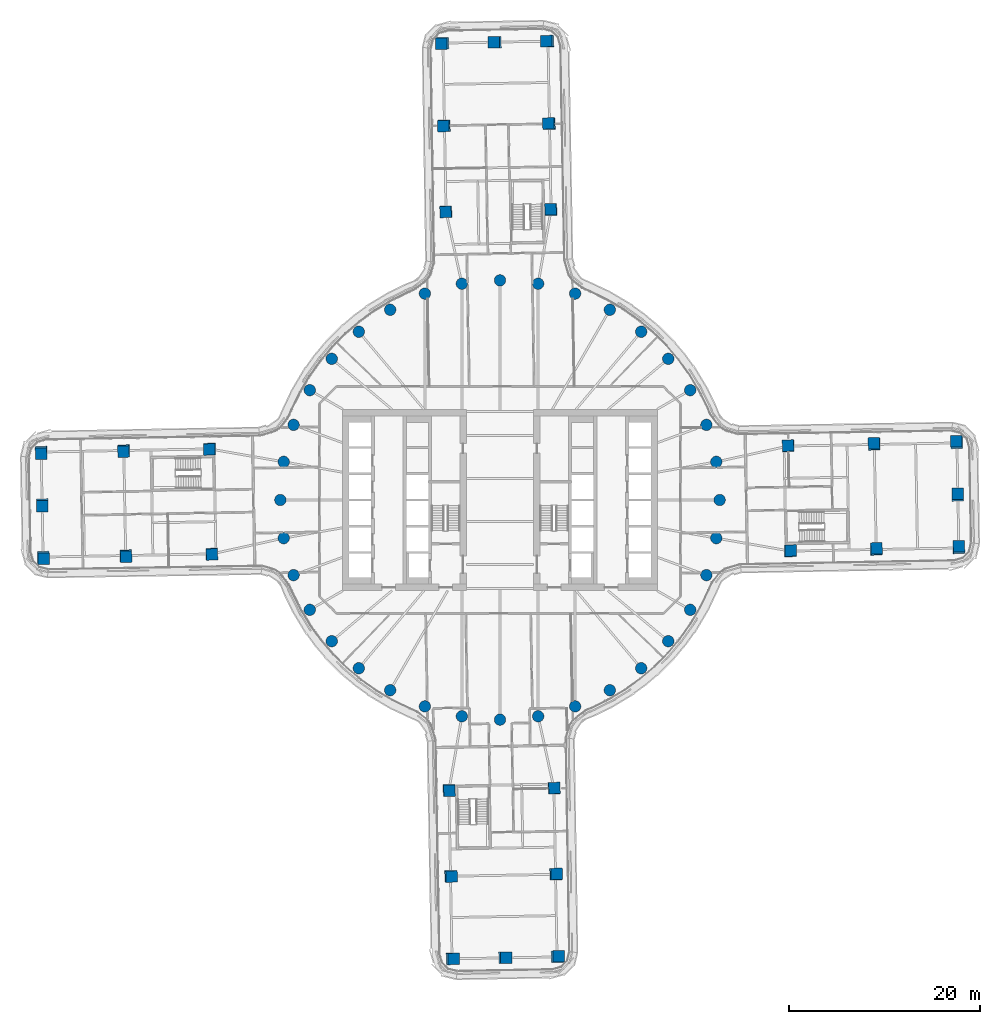
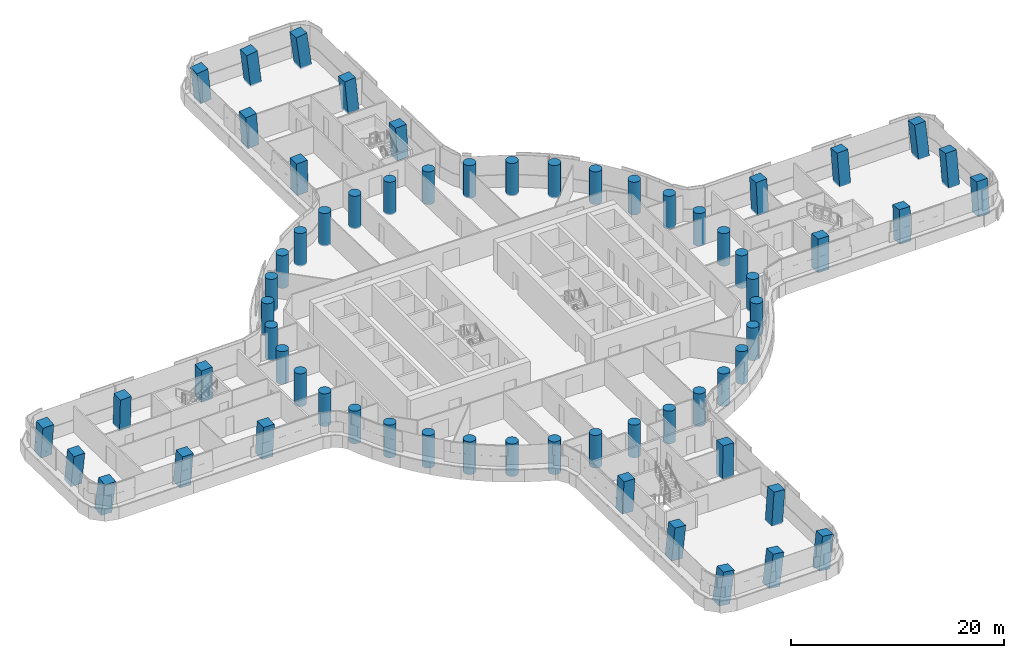
# One storey, part 1 of 31: 64 columns.
"""IFC4 building model written with IfcOpenShell, lengths in metres."""

from ifc_helpers import new_model, si_unit, direction, frame, origin, origin_2d, place, context, subcontext, project, spatial, rectangle, circle, extrude, material, material_profile, profile_set, type_object, element, save


model = new_model("IFC4")

# Units and contexts
model_context = context("Model", 3, precision=1e-05, world=origin(), true_north=direction((0.0, 1.0)))
body_context = subcontext(model_context, "Body", "Model", "MODEL_VIEW")
ifc_project = project(units=[si_unit("LENGTHUNIT", "METRE"), si_unit("AREAUNIT", "SQUARE_METRE"), si_unit("VOLUMEUNIT", "CUBIC_METRE"), si_unit("PLANEANGLEUNIT", "RADIAN"), si_unit("MASSUNIT", "GRAM", prefix="KILO")], contexts=[model_context])

# Site, building, storey
site_placement = place(None, origin())
site = spatial("IfcSite", under=ifc_project, at=site_placement, CompositionType="ELEMENT")
building_placement = place(site_placement, origin())
building = spatial("IfcBuilding", under=site, at=building_placement, Name="Tamarind Cross Interchange Tower", CompositionType="ELEMENT")
storey_placement = place(building_placement, frame((0.0, 0.0, 37.75)))
storey = spatial("IfcBuildingStorey", under=building, at=storey_placement, Name="L07", CompositionType="ELEMENT", Elevation=37.75)

# Columns
ifc_material = material(Name="Concrete C70", Category="concrete")
ifc_material_profile_1 = material_profile(ifc_material, rectangle(XDim=1.199951171875, YDim=1.199951171875, at=origin_2d()), Name="RC 1200x1200")
ifc_profile_set_1 = profile_set([ifc_material_profile_1], Name="Concrete C70")
column_type_1 = type_object("IfcColumnType", Name="Column RC 1200x1200 Concrete C70", PredefinedType="COLUMN", material=ifc_profile_set_1)
for number, where, z_axis, x_axis, name in (
    (1, (39.19677734375, 5.814697265625, -0.138427734375), (-0.028948520054, 0.083016047419, 0.996127662028), (0.01738070552, -0.996352845923, 0.083539915592), "Column L07-036"),
    (2, (39.3974609375, -5.18359375, -0.138427734375), (0.024340068401, 0.084508717487, 0.996125412656), (-0.999517576924, -0.017171293886, 0.025879723463), "Column L07-037"),
):
    element("IfcColumn", number, at=place(storey_placement, frame(where, z_axis=z_axis, x_axis=x_axis)), inside=storey, type_object=column_type_1, Name=name, PredefinedType="COLUMN", context=body_context, shape_type="SweptSolid", body=[
        extrude(rectangle(XDim=1.199951171875, YDim=1.199951171875, at=origin_2d()), origin(), (0.0, 0.0, 1.0), 3.761474609375),
    ])
for number, where, z_axis, x_axis, name in (
    (3, (30.1982421875, 5.650390625, -0.138671875), (-0.027786868561, 0.039565377249, 0.998830551625), (0.017377161096, -0.999046266915, 0.040057344327), "Column L07-038"),
    (4, (30.39892578125, -5.34765625, -0.138671875), (0.02557436589, 0.040997075091, 0.998831913609), (-0.999494731778, -0.017815795954, 0.026322586555), "Column L07-039"),
):
    element("IfcColumn", number, at=place(storey_placement, frame(where, z_axis=z_axis, x_axis=x_axis)), inside=storey, type_object=column_type_1, Name=name, PredefinedType="COLUMN", context=body_context, shape_type="SweptSolid", body=[
        extrude(rectangle(XDim=1.199951171875, YDim=1.199951171875, at=origin_2d()), origin(), (0.0, 0.0, 1.0), 3.751708984375),
    ])
column_1_placement = place(storey_placement, frame((48.048828125, -5.025634765625, -0.138671875), z_axis=(0.009695031663, 0.125389076179, 0.992060273338), x_axis=(-0.999776052649, -0.017447832864, 0.011975712011)))
element("IfcColumn", 5, at=column_1_placement, inside=storey, type_object=column_type_1, Name="Column L07-040", PredefinedType="COLUMN", context=body_context, shape_type="SweptSolid", body=[
    extrude(rectangle(XDim=1.199951171875, YDim=1.199951171875, at=origin_2d()), origin(), (0.0, 0.0, 1.0), 3.77734375),
])
column_2_placement = place(storey_placement, frame((47.948486328125, 0.473388671875, -0.138427734375), z_axis=(-0.016806787649, 0.124693436059, 0.992052961738), x_axis=(0.016951188234, -0.992014968226, 0.124975837796)))
element("IfcColumn", 6, at=column_2_placement, inside=storey, type_object=column_type_1, Name="Column L07-041", PredefinedType="COLUMN", context=body_context, shape_type="SweptSolid", body=[
    extrude(rectangle(XDim=1.199951171875, YDim=1.199951171875, at=origin_2d()), origin(), (0.0, 0.0, 1.0), 3.77685546875),
])
column_3_placement = place(storey_placement, frame((47.84814453125, 5.972412109375, -0.138427734375), z_axis=(-0.043343632944, 0.123894318906, 0.991348337985), x_axis=(0.015552242989, -0.992076951599, 0.124665351418)))
element("IfcColumn", 7, at=column_3_placement, inside=storey, type_object=column_type_1, Name="Column L07-042", PredefinedType="COLUMN", context=body_context, shape_type="SweptSolid", body=[
    extrude(rectangle(XDim=1.199951171875, YDim=1.199951171875, at=origin_2d()), origin(), (0.0, 0.0, 1.0), 3.779541015625),
])
for number, where, z_axis, x_axis, name in (
    (8, (-5.814697265625, 39.19677734375, -0.138427734375), (-0.083016047419, -0.028948520054, 0.996127662028), (0.996352845923, 0.01738070552, 0.083539915592), "Column L07-043"),
    (9, (5.18359375, 39.3974609375, -0.138427734375), (-0.084508717487, 0.024340068401, 0.996125412656), (0.017171293886, -0.999517576924, 0.025879723463), "Column L07-044"),
):
    element("IfcColumn", number, at=place(storey_placement, frame(where, z_axis=z_axis, x_axis=x_axis)), inside=storey, type_object=column_type_1, Name=name, PredefinedType="COLUMN", context=body_context, shape_type="SweptSolid", body=[
        extrude(rectangle(XDim=1.199951171875, YDim=1.199951171875, at=origin_2d()), origin(), (0.0, 0.0, 1.0), 3.761474609375),
    ])
for number, where, z_axis, x_axis, name in (
    (10, (-5.650390625, 30.1982421875, -0.138671875), (-0.039565377249, -0.027786868561, 0.998830551625), (0.999046266915, 0.017377161096, 0.040057344327), "Column L07-045"),
    (11, (5.34765625, 30.39892578125, -0.138671875), (-0.040997075091, 0.02557436589, 0.998831913609), (0.017815795954, -0.999494731778, 0.026322586555), "Column L07-046"),
):
    element("IfcColumn", number, at=place(storey_placement, frame(where, z_axis=z_axis, x_axis=x_axis)), inside=storey, type_object=column_type_1, Name=name, PredefinedType="COLUMN", context=body_context, shape_type="SweptSolid", body=[
        extrude(rectangle(XDim=1.199951171875, YDim=1.199951171875, at=origin_2d()), origin(), (0.0, 0.0, 1.0), 3.751708984375),
    ])
column_4_placement = place(storey_placement, frame((5.025634765625, 48.048828125, -0.138671875), z_axis=(-0.125389076179, 0.009695031663, 0.992060273338), x_axis=(0.017447832864, -0.999776052649, 0.011975712011)))
element("IfcColumn", 12, at=column_4_placement, inside=storey, type_object=column_type_1, Name="Column L07-047", PredefinedType="COLUMN", context=body_context, shape_type="SweptSolid", body=[
    extrude(rectangle(XDim=1.199951171875, YDim=1.199951171875, at=origin_2d()), origin(), (0.0, 0.0, 1.0), 3.77734375),
])
column_5_placement = place(storey_placement, frame((-0.473388671875, 47.948486328125, -0.138427734375), z_axis=(-0.124693436059, -0.016806787649, 0.992052961738), x_axis=(0.992014968226, 0.016951188234, 0.124975837796)))
element("IfcColumn", 13, at=column_5_placement, inside=storey, type_object=column_type_1, Name="Column L07-048", PredefinedType="COLUMN", context=body_context, shape_type="SweptSolid", body=[
    extrude(rectangle(XDim=1.199951171875, YDim=1.199951171875, at=origin_2d()), origin(), (0.0, 0.0, 1.0), 3.77685546875),
])
column_6_placement = place(storey_placement, frame((-5.972412109375, 47.84814453125, -0.138427734375), z_axis=(-0.123894318906, -0.043343632944, 0.991348337985), x_axis=(0.992076951599, 0.015552242989, 0.124665351418)))
element("IfcColumn", 14, at=column_6_placement, inside=storey, type_object=column_type_1, Name="Column L07-049", PredefinedType="COLUMN", context=body_context, shape_type="SweptSolid", body=[
    extrude(rectangle(XDim=1.199951171875, YDim=1.199951171875, at=origin_2d()), origin(), (0.0, 0.0, 1.0), 3.779541015625),
])
for number, where, z_axis, x_axis, name in (
    (15, (-39.19677734375, -5.814697265625, -0.138427734375), (0.028948520054, -0.083016047419, 0.996127662028), (-0.01738070552, 0.996352845923, 0.083539915592), "Column L07-050"),
    (16, (-39.3974609375, 5.18359375, -0.138427734375), (-0.024340068401, -0.084508717487, 0.996125412656), (0.999517576924, 0.017171293886, 0.025879723463), "Column L07-051"),
):
    element("IfcColumn", number, at=place(storey_placement, frame(where, z_axis=z_axis, x_axis=x_axis)), inside=storey, type_object=column_type_1, Name=name, PredefinedType="COLUMN", context=body_context, shape_type="SweptSolid", body=[
        extrude(rectangle(XDim=1.199951171875, YDim=1.199951171875, at=origin_2d()), origin(), (0.0, 0.0, 1.0), 3.761474609375),
    ])
for number, where, z_axis, x_axis, name in (
    (17, (-30.1982421875, -5.650390625, -0.138671875), (0.027786868561, -0.039565377249, 0.998830551625), (-0.017377161096, 0.999046266915, 0.040057344327), "Column L07-052"),
    (18, (-30.39892578125, 5.34765625, -0.138671875), (-0.02557436589, -0.040997075091, 0.998831913609), (0.999494731778, 0.017815795954, 0.026322586555), "Column L07-053"),
):
    element("IfcColumn", number, at=place(storey_placement, frame(where, z_axis=z_axis, x_axis=x_axis)), inside=storey, type_object=column_type_1, Name=name, PredefinedType="COLUMN", context=body_context, shape_type="SweptSolid", body=[
        extrude(rectangle(XDim=1.199951171875, YDim=1.199951171875, at=origin_2d()), origin(), (0.0, 0.0, 1.0), 3.751708984375),
    ])
column_7_placement = place(storey_placement, frame((-48.048828125, 5.025634765625, -0.138671875), z_axis=(-0.009695031663, -0.125389076179, 0.992060273338), x_axis=(0.999776052649, 0.017447832864, 0.011975712011)))
element("IfcColumn", 19, at=column_7_placement, inside=storey, type_object=column_type_1, Name="Column L07-054", PredefinedType="COLUMN", context=body_context, shape_type="SweptSolid", body=[
    extrude(rectangle(XDim=1.199951171875, YDim=1.199951171875, at=origin_2d()), origin(), (0.0, 0.0, 1.0), 3.77734375),
])
column_8_placement = place(storey_placement, frame((-47.948486328125, -0.473388671875, -0.138427734375), z_axis=(0.016806787649, -0.124693436059, 0.992052961738), x_axis=(-0.016951188234, 0.992014968226, 0.124975837796)))
element("IfcColumn", 20, at=column_8_placement, inside=storey, type_object=column_type_1, Name="Column L07-055", PredefinedType="COLUMN", context=body_context, shape_type="SweptSolid", body=[
    extrude(rectangle(XDim=1.199951171875, YDim=1.199951171875, at=origin_2d()), origin(), (0.0, 0.0, 1.0), 3.77685546875),
])
column_9_placement = place(storey_placement, frame((-47.84814453125, -5.972412109375, -0.138427734375), z_axis=(0.043343632944, -0.123894318906, 0.991348337985), x_axis=(-0.015552242989, 0.992076951599, 0.124665351418)))
element("IfcColumn", 21, at=column_9_placement, inside=storey, type_object=column_type_1, Name="Column L07-056", PredefinedType="COLUMN", context=body_context, shape_type="SweptSolid", body=[
    extrude(rectangle(XDim=1.199951171875, YDim=1.199951171875, at=origin_2d()), origin(), (0.0, 0.0, 1.0), 3.779541015625),
])
for number, where, z_axis, x_axis, name in (
    (22, (5.814697265625, -39.19677734375, -0.138427734375), (0.083016047419, 0.028948520054, 0.996127662028), (-0.996352845923, -0.01738070552, 0.083539915592), "Column L07-057"),
    (23, (-5.18359375, -39.3974609375, -0.138427734375), (0.084508717487, -0.024340068401, 0.996125412656), (-0.017171293886, 0.999517576924, 0.025879723463), "Column L07-058"),
):
    element("IfcColumn", number, at=place(storey_placement, frame(where, z_axis=z_axis, x_axis=x_axis)), inside=storey, type_object=column_type_1, Name=name, PredefinedType="COLUMN", context=body_context, shape_type="SweptSolid", body=[
        extrude(rectangle(XDim=1.199951171875, YDim=1.199951171875, at=origin_2d()), origin(), (0.0, 0.0, 1.0), 3.761474609375),
    ])
for number, where, z_axis, x_axis, name in (
    (24, (5.650390625, -30.1982421875, -0.138671875), (0.039565377249, 0.027786868561, 0.998830551625), (-0.999046266915, -0.017377161096, 0.040057344327), "Column L07-059"),
    (25, (-5.34765625, -30.39892578125, -0.138671875), (0.040997075091, -0.02557436589, 0.998831913609), (-0.017815795954, 0.999494731778, 0.026322586555), "Column L07-060"),
):
    element("IfcColumn", number, at=place(storey_placement, frame(where, z_axis=z_axis, x_axis=x_axis)), inside=storey, type_object=column_type_1, Name=name, PredefinedType="COLUMN", context=body_context, shape_type="SweptSolid", body=[
        extrude(rectangle(XDim=1.199951171875, YDim=1.199951171875, at=origin_2d()), origin(), (0.0, 0.0, 1.0), 3.751708984375),
    ])
column_10_placement = place(storey_placement, frame((-5.025634765625, -48.048828125, -0.138671875), z_axis=(0.125389076179, -0.009695031663, 0.992060273338), x_axis=(-0.017447832864, 0.999776052649, 0.011975712011)))
element("IfcColumn", 26, at=column_10_placement, inside=storey, type_object=column_type_1, Name="Column L07-061", PredefinedType="COLUMN", context=body_context, shape_type="SweptSolid", body=[
    extrude(rectangle(XDim=1.199951171875, YDim=1.199951171875, at=origin_2d()), origin(), (0.0, 0.0, 1.0), 3.77734375),
])
column_11_placement = place(storey_placement, frame((0.473388671875, -47.948486328125, -0.138427734375), z_axis=(0.124693436059, 0.016806787649, 0.992052961738), x_axis=(-0.992014968226, -0.016951188234, 0.124975837796)))
element("IfcColumn", 27, at=column_11_placement, inside=storey, type_object=column_type_1, Name="Column L07-062", PredefinedType="COLUMN", context=body_context, shape_type="SweptSolid", body=[
    extrude(rectangle(XDim=1.199951171875, YDim=1.199951171875, at=origin_2d()), origin(), (0.0, 0.0, 1.0), 3.77685546875),
])
column_12_placement = place(storey_placement, frame((5.972412109375, -47.84814453125, -0.138427734375), z_axis=(0.123894318906, 0.043343632944, 0.991348337985), x_axis=(-0.992076951599, -0.015552242989, 0.124665351418)))
element("IfcColumn", 28, at=column_12_placement, inside=storey, type_object=column_type_1, Name="Column L07-063", PredefinedType="COLUMN", context=body_context, shape_type="SweptSolid", body=[
    extrude(rectangle(XDim=1.199951171875, YDim=1.199951171875, at=origin_2d()), origin(), (0.0, 0.0, 1.0), 3.779541015625),
])
ifc_material_profile_2 = material_profile(ifc_material, circle(Radius=0.60009765625, at=origin_2d()), Name="RC D1200")
ifc_profile_set_2 = profile_set([ifc_material_profile_2], Name="Concrete C70")
column_type_2 = type_object("IfcColumnType", Name="Column RC D1200 Concrete C70", PredefinedType="COLUMN", material=ifc_profile_set_2)
for number, where, z_axis, x_axis, name in (
    (29, (23.0, 0.0, -0.139892578125), (0.0, 0.0, 1.0), (1.0, 0.0, 0.0), "Column L07-000"),
    (30, (22.650634765625, 3.993896484375, -0.139892578125), (0.0, 0.0, 1.0), (1.0, 0.0, 0.0), "Column L07-001"),
    (31, (21.613037109375, 7.866455078125, -0.139892578125), (0.0, 0.0, 1.0), (1.0, 0.0, 0.0), "Column L07-002"),
    (32, (19.918701171875, 11.5, -0.139892578125), (0.0, 0.0, 1.0), (1.0, 0.0, 0.0), "Column L07-003"),
    (33, (17.619140625, 14.7841796875, -0.139892578125), (0.0, 0.0, 1.0), (1.0, 0.0, 0.0), "Column L07-004"),
    (34, (14.7841796875, 17.619140625, -0.139892578125), (0.0, 0.0, 1.0), (1.0, 0.0, 0.0), "Column L07-005"),
    (35, (11.5, 19.918701171875, -0.139892578125), (0.0, 0.0, 1.0), (1.0, 0.0, 0.0), "Column L07-006"),
    (36, (7.866455078125, 21.613037109375, -0.139892578125), (0.0, 0.0, 1.0), (1.0, 0.0, 0.0), "Column L07-007"),
    (37, (3.993896484375, 22.650634765625, -0.139892578125), (0.0, 0.0, 1.0), (1.0, 0.0, 0.0), "Column L07-008"),
    (38, (0.0, 23.0, -0.139892578125), (0.0, 0.0, 1.0), (1.0, 0.0, 0.0), "Column L07-009"),
    (39, (-3.993896484375, 22.650634765625, -0.139892578125), (0.0, 0.0, 1.0), (1.0, 0.0, 0.0), "Column L07-010"),
    (40, (-7.866455078125, 21.613037109375, -0.139892578125), (0.0, 0.0, 1.0), (1.0, 0.0, 0.0), "Column L07-011"),
    (41, (-11.5, 19.918701171875, -0.139892578125), (0.0, 0.0, 1.0), (1.0, 0.0, 0.0), "Column L07-012"),
    (42, (-14.7841796875, 17.619140625, -0.139892578125), (0.0, 0.0, 1.0), (1.0, 0.0, 0.0), "Column L07-013"),
    (43, (-17.619140625, 14.7841796875, -0.139892578125), (0.0, 0.0, 1.0), (1.0, 0.0, 0.0), "Column L07-014"),
    (44, (-19.918701171875, 11.5, -0.139892578125), (0.0, 0.0, 1.0), (1.0, 0.0, 0.0), "Column L07-015"),
    (45, (-21.613037109375, 7.866455078125, -0.139892578125), (0.0, 0.0, 1.0), (1.0, 0.0, 0.0), "Column L07-016"),
    (46, (-22.650634765625, 3.993896484375, -0.139892578125), (0.0, 0.0, 1.0), (1.0, 0.0, 0.0), "Column L07-017"),
    (47, (-23.0, 0.0, -0.139892578125), (0.0, 0.0, 1.0), (1.0, 0.0, 0.0), "Column L07-018"),
    (48, (-22.650634765625, -3.993896484375, -0.139892578125), (0.0, 0.0, 1.0), (1.0, 0.0, 0.0), "Column L07-019"),
    (49, (-21.613037109375, -7.866455078125, -0.139892578125), (0.0, 0.0, 1.0), (1.0, 0.0, 0.0), "Column L07-020"),
    (50, (-19.918701171875, -11.5, -0.139892578125), (0.0, 0.0, 1.0), (1.0, 0.0, 0.0), "Column L07-021"),
    (51, (-17.619140625, -14.7841796875, -0.139892578125), (0.0, 0.0, 1.0), (1.0, 0.0, 0.0), "Column L07-022"),
    (52, (-14.7841796875, -17.619140625, -0.139892578125), (0.0, 0.0, 1.0), (1.0, 0.0, 0.0), "Column L07-023"),
    (53, (-11.5, -19.918701171875, -0.139892578125), (0.0, 0.0, 1.0), (1.0, 0.0, 0.0), "Column L07-024"),
    (54, (-7.866455078125, -21.613037109375, -0.139892578125), (0.0, 0.0, 1.0), (1.0, 0.0, 0.0), "Column L07-025"),
    (55, (-3.993896484375, -22.650634765625, -0.139892578125), (0.0, 0.0, 1.0), (1.0, 0.0, 0.0), "Column L07-026"),
    (56, (0.0, -23.0, -0.139892578125), (0.0, 0.0, 1.0), (1.0, 0.0, 0.0), "Column L07-027"),
    (57, (3.993896484375, -22.650634765625, -0.139892578125), (0.0, 0.0, 1.0), (1.0, 0.0, 0.0), "Column L07-028"),
    (58, (7.866455078125, -21.613037109375, -0.139892578125), (0.0, 0.0, 1.0), (1.0, 0.0, 0.0), "Column L07-029"),
    (59, (11.5, -19.918701171875, -0.139892578125), (0.0, 0.0, 1.0), (1.0, 0.0, 0.0), "Column L07-030"),
    (60, (14.7841796875, -17.619140625, -0.139892578125), (0.0, 0.0, 1.0), (1.0, 0.0, 0.0), "Column L07-031"),
    (61, (17.619140625, -14.7841796875, -0.139892578125), (0.0, 0.0, 1.0), (1.0, 0.0, 0.0), "Column L07-032"),
    (62, (19.918701171875, -11.5, -0.139892578125), (0.0, 0.0, 1.0), (1.0, 0.0, 0.0), "Column L07-033"),
    (63, (21.613037109375, -7.866455078125, -0.139892578125), (0.0, 0.0, 1.0), (1.0, 0.0, 0.0), "Column L07-034"),
    (64, (22.650634765625, -3.993896484375, -0.139892578125), (0.0, 0.0, 1.0), (1.0, 0.0, 0.0), "Column L07-035"),
):
    element("IfcColumn", number, at=place(storey_placement, frame(where, z_axis=z_axis, x_axis=x_axis)), inside=storey, type_object=column_type_2, Name=name, PredefinedType="COLUMN", context=body_context, shape_type="SweptSolid", body=[
        extrude(circle(Radius=0.60009765625, at=origin_2d()), origin(), (0.0, 0.0, 1.0), 3.75),
    ])

save(model, "model.ifc")
